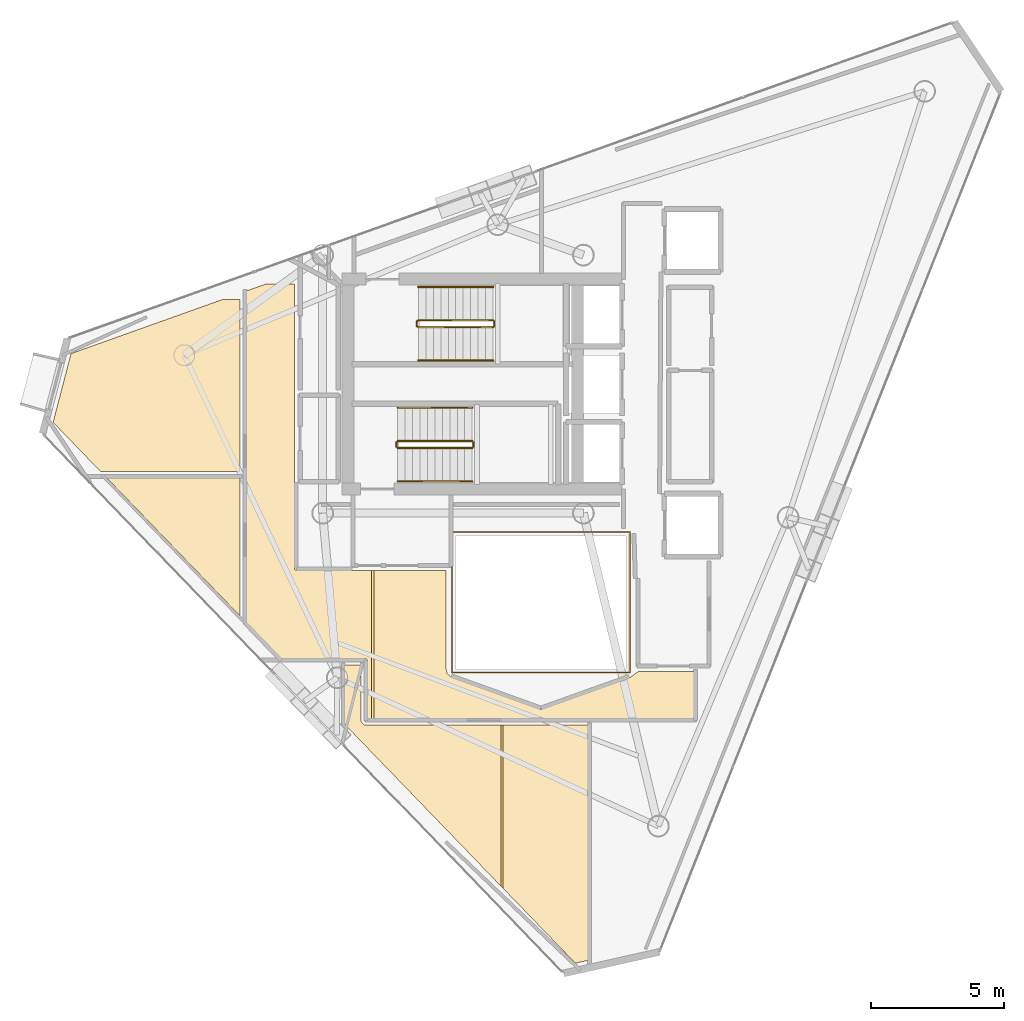
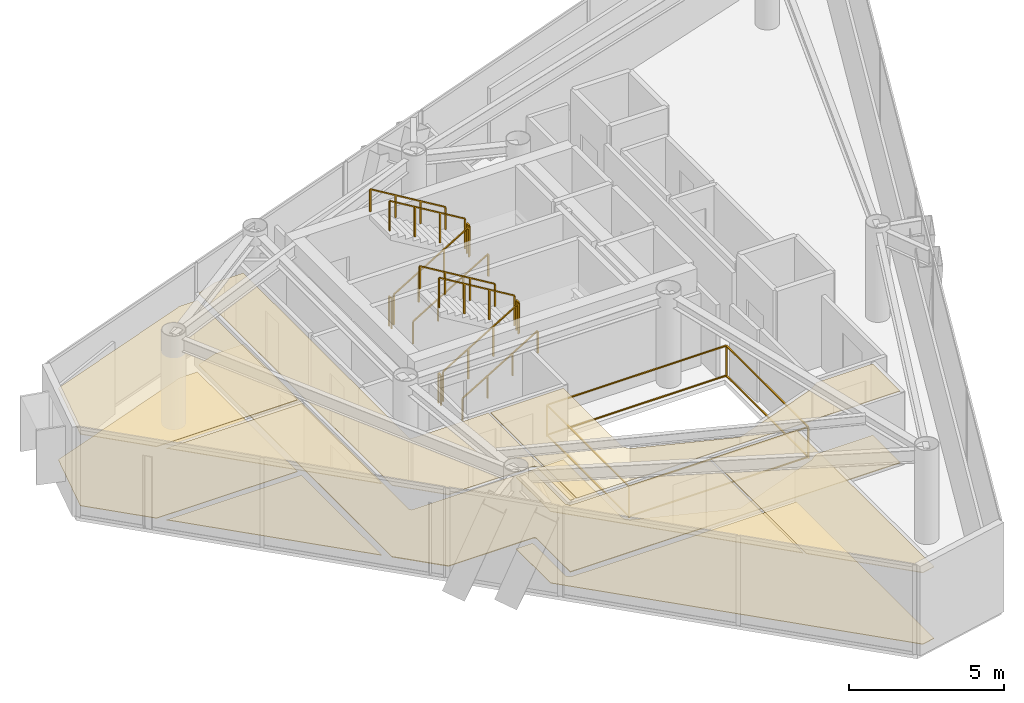
# One storey, part 18 of 18: 13 railings, 10 coverings.
"""IFC4 building model written with IfcOpenShell, lengths in metres."""

from ifc_helpers import new_model, si_unit, direction, frame, origin, origin_2d, place, context, subcontext, project, spatial, polyline, rectangle, outline, extrude, material, layer, layer_set, type_object, element, save


model = new_model("IFC4")

# Units and contexts
model_context = context("Model", 3, precision=1e-05, world=origin(), true_north=direction((0.0, 1.0)))
body_context = subcontext(model_context, "Body", "Model", "MODEL_VIEW")
ifc_project = project(units=[si_unit("LENGTHUNIT", "METRE"), si_unit("AREAUNIT", "SQUARE_METRE"), si_unit("VOLUMEUNIT", "CUBIC_METRE"), si_unit("PLANEANGLEUNIT", "RADIAN"), si_unit("MASSUNIT", "GRAM", prefix="KILO")], contexts=[model_context])

# Site, building, storey
site_placement = place(None, origin())
site = spatial("IfcSite", under=ifc_project, at=site_placement, CompositionType="ELEMENT")
building_placement = place(site_placement, origin())
building = spatial("IfcBuilding", under=site, at=building_placement, Name="Qianvela Tower", CompositionType="ELEMENT")
storey_placement = place(building_placement, frame((0.0, 0.0, 337.0)))
storey = spatial("IfcBuildingStorey", under=building, at=storey_placement, Name="L87", CompositionType="ELEMENT", Elevation=337.0)

# Coverings
ifc_material_1 = material(Name="Perforated Mineral Acoustic Ceiling Tile")
ifc_layer_1 = layer(ifc_material_1, 0.02490234375)
ifc_layer_set_1 = layer_set([ifc_layer_1], Name="Perforated Mineral Acoustic Ceiling Tile")
covering_type_1 = type_object("IfcCoveringType", Name="COV-CEIL-ACOUSTIC-25", PredefinedType="CEILING", material=ifc_layer_set_1)
covering_1_placement = place(storey_placement, frame((0.0, 0.0, 2.81494140625)))
element("IfcCovering", 1, at=covering_1_placement, inside=storey, type_object=covering_type_1, Name="L87 Acoustic Ceiling Bay 1 L87 Floor Corridor", PredefinedType="CEILING", context=body_context, shape_type="SweptSolid", body=[
    extrude(outline(polyline([(27.540283203125, 21.772216796875), (27.54150390625, 21.764404296875), (27.54345703125, 21.7568359375), (27.546142578125, 21.74951171875), (27.54931640625, 21.7421875), (27.553466796875, 21.735595703125), (27.55810546875, 21.729248046875), (27.5634765625, 21.723388671875), (27.569091796875, 21.71826171875), (27.57568359375, 21.71337890625), (27.582275390625, 21.70947265625), (27.58935546875, 21.7060546875), (27.5966796875, 21.703369140625), (27.6044921875, 21.701416015625), (27.6123046875, 21.700439453125), (27.6201171875, 21.699951171875), (30.443115234375, 21.699951171875), (30.443115234375, 16.1298828125), (30.280029296875, 16.1298828125), (30.280029296875, 18.300048828125), (30.279541015625, 18.307861328125), (30.278564453125, 18.315673828125), (30.276611328125, 18.3232421875), (30.27392578125, 18.33056640625), (30.2705078125, 18.337646484375), (30.2666015625, 18.344482421875), (30.26171875, 18.350830078125), (30.256591796875, 18.356689453125), (30.250732421875, 18.36181640625), (30.244384765625, 18.366455078125), (30.23779296875, 18.37060546875), (30.230712890625, 18.373779296875), (30.22314453125, 18.376708984375), (30.215576171875, 18.37841796875), (30.207763671875, 18.379638671875), (30.199951171875, 18.3798828125), (27.044677734375, 18.3798828125), (25.72998046875, 19.741455078125), (25.72998046875, 32.201904296875), (26.481201171875, 32.469970703125), (27.5400390625, 32.469970703125), (27.5400390625, 21.780029296875), (27.540283203125, 21.772216796875)])), origin(), (0.0, 0.0, 1.0), 0.025146484375),
])
covering_2_placement = place(storey_placement, frame((0.0, 0.0, 2.81494140625)))
element("IfcCovering", 2, at=covering_2_placement, inside=storey, type_object=covering_type_1, Name="L87 Acoustic Ceiling Bay 2 L87 Floor Corridor", PredefinedType="CEILING", context=body_context, shape_type="SweptSolid", body=[
    extrude(outline(polyline([(33.239990234375, 21.699951171875), (33.239990234375, 18.0), (33.240478515625, 17.990234375), (33.242431640625, 17.980712890625), (33.275390625, 17.8486328125), (33.277587890625, 17.841064453125), (33.28076171875, 17.833740234375), (33.284423828125, 17.826904296875), (33.288818359375, 17.8203125), (33.293701171875, 17.814208984375), (33.38525390625, 17.71337890625), (33.390625, 17.7080078125), (33.396728515625, 17.702880859375), (33.4033203125, 17.698486328125), (33.41015625, 17.69482421875), (33.417236328125, 17.69189453125), (36.77294921875, 16.482666015625), (36.780517578125, 16.48046875), (36.7880859375, 16.47900390625), (36.7958984375, 16.47802734375), (36.8037109375, 16.47802734375), (36.811767578125, 16.47900390625), (36.8193359375, 16.48046875), (36.826904296875, 16.482666015625), (40.134033203125, 17.666015625), (40.140869140625, 17.668701171875), (40.1474609375, 17.672119140625), (40.153564453125, 17.676025390625), (40.458740234375, 17.89306640625), (42.570068359375, 17.899658203125), (42.570068359375, 16.1298828125), (30.523193359375, 16.1298828125), (30.523193359375, 21.699951171875), (33.239990234375, 21.699951171875)])), origin(), (0.0, 0.0, 1.0), 0.025146484375),
])
covering_3_placement = place(storey_placement, frame((0.0, 0.0, 2.81494140625)))
element("IfcCovering", 3, at=covering_3_placement, inside=storey, type_object=covering_type_1, Name="L87 Acoustic Ceiling Project Huddle Conference L87-01", PredefinedType="CEILING", context=body_context, shape_type="SweptSolid", body=[
    extrude(outline(polyline([(20.47998046875, 25.177978515625), (25.489990234375, 25.177978515625), (25.489990234375, 19.989990234375), (20.47998046875, 25.177978515625)])), origin(), (0.0, 0.0, 1.0), 0.025146484375),
])
covering_4_placement = place(storey_placement, frame((0.0, 0.0, 2.81494140625)))
element("IfcCovering", 4, at=covering_4_placement, inside=storey, type_object=covering_type_1, Name="L87 Acoustic Ceiling Bay 1 Debate Lecture Classroom L87-02", PredefinedType="CEILING", context=body_context, shape_type="SweptSolid", body=[
    extrude(outline(polyline([(29.422119140625, 18.139892578125), (30.0400390625, 18.139892578125), (30.0400390625, 16.050048828125), (30.040283203125, 16.042236328125), (30.04150390625, 16.034423828125), (30.04345703125, 16.02685546875), (30.046142578125, 16.019287109375), (30.04931640625, 16.01220703125), (30.053466796875, 16.005615234375), (30.05810546875, 15.999267578125), (30.12255859375, 15.9208984375), (30.127685546875, 15.9150390625), (30.133544921875, 15.90966796875), (30.139892578125, 15.905029296875), (30.146728515625, 15.90087890625), (30.15380859375, 15.897705078125), (30.1611328125, 15.89501953125), (30.168701171875, 15.89306640625), (30.176513671875, 15.891845703125), (30.184326171875, 15.8916015625), (35.302734375, 15.890625), (35.302734375, 9.82861328125), (29.422119140625, 15.918212890625), (29.422119140625, 18.139892578125)])), origin(), (0.0, 0.0, 1.0), 0.025146484375),
])
covering_5_placement = place(storey_placement, frame((0.0, 0.0, 2.81494140625)))
element("IfcCovering", 5, at=covering_5_placement, inside=storey, type_object=covering_type_1, Name="L87 Acoustic Ceiling Bay 2 Debate Lecture Classroom L87-02", PredefinedType="CEILING", context=body_context, shape_type="SweptSolid", body=[
    extrude(outline(polyline([(38.577880859375, 15.889892578125), (38.577880859375, 7.04150390625), (38.097900390625, 6.93408203125), (35.3828125, 9.74560546875), (35.3828125, 15.890625), (38.577880859375, 15.889892578125)])), origin(), (0.0, 0.0, 1.0), 0.025146484375),
])
covering_6_placement = place(storey_placement, frame((0.0, 0.0, 2.81494140625)))
element("IfcCovering", 6, at=covering_6_placement, inside=storey, type_object=covering_type_1, Name="L87 Acoustic Ceiling Maker Craft Workshop L87-04", PredefinedType="CEILING", context=body_context, shape_type="SweptSolid", body=[
    extrude(outline(polyline([(24.822998046875, 31.8779296875), (25.489990234375, 31.8779296875), (25.489990234375, 25.422119140625), (20.244384765625, 25.422119140625), (18.466552734375, 27.262939453125), (19.140869140625, 29.849365234375), (24.822998046875, 31.8779296875)])), origin(), (0.0, 0.0, 1.0), 0.025146484375),
])
ifc_material_2 = material(Name="Engineered Acoustic Oak Timber Flooring", Category="wood")
ifc_layer_2 = layer(ifc_material_2, 0.02001953125)
ifc_layer_set_2 = layer_set([ifc_layer_2], Name="Engineered Acoustic Oak Timber Flooring")
covering_type_2 = type_object("IfcCoveringType", Name="COV-FLOOR-OAK-20", PredefinedType="FLOORING", material=ifc_layer_set_2)
covering_7_placement = place(storey_placement, origin())
element("IfcCovering", 7, at=covering_7_placement, inside=storey, type_object=covering_type_2, Name="L87 Finish Flooring Project Huddle Conference L87-01", PredefinedType="FLOORING", context=body_context, shape_type="SweptSolid", body=[
    extrude(outline(polyline([(20.47998046875, 25.177978515625), (25.489990234375, 25.177978515625), (25.489990234375, 19.989990234375), (20.47998046875, 25.177978515625)])), origin(), (0.0, 0.0, 1.0), 0.02001953125),
])
covering_8_placement = place(storey_placement, origin())
element("IfcCovering", 8, at=covering_8_placement, inside=storey, type_object=covering_type_2, Name="L87 Finish Flooring Debate Lecture Classroom L87-02", PredefinedType="FLOORING", context=body_context, shape_type="SweptSolid", body=[
    extrude(outline(polyline([(29.422119140625, 15.918212890625), (29.422119140625, 18.139892578125), (30.0400390625, 18.139892578125), (30.0400390625, 16.050048828125), (30.040283203125, 16.042236328125), (30.04150390625, 16.034423828125), (30.04345703125, 16.02685546875), (30.046142578125, 16.019287109375), (30.04931640625, 16.01220703125), (30.053466796875, 16.005615234375), (30.05810546875, 15.999267578125), (30.12255859375, 15.9208984375), (30.127685546875, 15.9150390625), (30.133544921875, 15.90966796875), (30.139892578125, 15.905029296875), (30.146728515625, 15.90087890625), (30.15380859375, 15.897705078125), (30.1611328125, 15.89501953125), (30.168701171875, 15.89306640625), (30.176513671875, 15.891845703125), (30.184326171875, 15.8916015625), (38.577880859375, 15.889892578125), (38.577880859375, 7.04150390625), (38.097900390625, 6.93408203125), (29.422119140625, 15.918212890625)])), origin(), (0.0, 0.0, 1.0), 0.02001953125),
])
covering_9_placement = place(storey_placement, origin())
element("IfcCovering", 9, at=covering_9_placement, inside=storey, type_object=covering_type_2, Name="L87 Finish Flooring Maker Craft Workshop L87-04", PredefinedType="FLOORING", context=body_context, shape_type="SweptSolid", body=[
    extrude(outline(polyline([(24.822998046875, 31.8779296875), (25.489990234375, 31.8779296875), (25.489990234375, 25.422119140625), (20.244384765625, 25.422119140625), (18.466552734375, 27.262939453125), (19.140869140625, 29.849365234375), (24.822998046875, 31.8779296875)])), origin(), (0.0, 0.0, 1.0), 0.02001953125),
])
ifc_material_3 = material(Name="Honed Stone Terrazzo Flooring", Category="masonry")
ifc_layer_3 = layer(ifc_material_3, 0.030029296875)
ifc_layer_set_3 = layer_set([ifc_layer_3], Name="Honed Stone Terrazzo Flooring")
covering_type_3 = type_object("IfcCoveringType", Name="COV-FLOOR-TERRAZZO-30", PredefinedType="FLOORING", material=ifc_layer_set_3)
covering_10_placement = place(storey_placement, origin())
element("IfcCovering", 10, at=covering_10_placement, inside=storey, type_object=covering_type_3, Name="L87 Finish Flooring L87 Floor Corridor", PredefinedType="FLOORING", context=body_context, shape_type="SweptSolid", body=[
    extrude(outline(polyline([(27.5400390625, 21.780029296875), (27.540283203125, 21.772216796875), (27.54150390625, 21.764404296875), (27.54345703125, 21.7568359375), (27.546142578125, 21.74951171875), (27.54931640625, 21.7421875), (27.553466796875, 21.735595703125), (27.55810546875, 21.729248046875), (27.5634765625, 21.723388671875), (27.569091796875, 21.71826171875), (27.57568359375, 21.71337890625), (27.582275390625, 21.70947265625), (27.58935546875, 21.7060546875), (27.5966796875, 21.703369140625), (27.6044921875, 21.701416015625), (27.6123046875, 21.700439453125), (27.6201171875, 21.699951171875), (33.239990234375, 21.699951171875), (33.239990234375, 18.0), (33.240478515625, 17.990234375), (33.242431640625, 17.980712890625), (33.275390625, 17.8486328125), (33.277587890625, 17.841064453125), (33.28076171875, 17.833740234375), (33.284423828125, 17.826904296875), (33.288818359375, 17.8203125), (33.293701171875, 17.814208984375), (33.38525390625, 17.71337890625), (33.390625, 17.7080078125), (33.396728515625, 17.702880859375), (33.4033203125, 17.698486328125), (33.41015625, 17.69482421875), (33.417236328125, 17.69189453125), (36.77294921875, 16.482666015625), (36.780517578125, 16.48046875), (36.7880859375, 16.47900390625), (36.7958984375, 16.47802734375), (36.8037109375, 16.47802734375), (36.811767578125, 16.47900390625), (36.8193359375, 16.48046875), (36.826904296875, 16.482666015625), (40.134033203125, 17.666015625), (40.140869140625, 17.668701171875), (40.1474609375, 17.672119140625), (40.153564453125, 17.676025390625), (40.458740234375, 17.89306640625), (42.570068359375, 17.899658203125), (42.570068359375, 16.1298828125), (30.280029296875, 16.1298828125), (30.280029296875, 18.300048828125), (30.279541015625, 18.307861328125), (30.278564453125, 18.315673828125), (30.276611328125, 18.3232421875), (30.27392578125, 18.33056640625), (30.2705078125, 18.337646484375), (30.2666015625, 18.344482421875), (30.26171875, 18.350830078125), (30.256591796875, 18.356689453125), (30.250732421875, 18.36181640625), (30.244384765625, 18.366455078125), (30.23779296875, 18.37060546875), (30.230712890625, 18.373779296875), (30.22314453125, 18.376708984375), (30.215576171875, 18.37841796875), (30.207763671875, 18.379638671875), (30.199951171875, 18.3798828125), (27.044677734375, 18.3798828125), (25.72998046875, 19.741455078125), (25.72998046875, 32.201904296875), (26.481201171875, 32.469970703125), (27.5400390625, 32.469970703125), (27.5400390625, 21.780029296875)])), origin(), (0.0, 0.0, 1.0), 0.030029296875),
])

# Railings
ifc_material_4 = material(Name="Laminated Safety Glass and Stainless Steel 316", Category="steel")
railing_type_1 = type_object("IfcRailingType", Name="RL-ATRIUM-GUARD-1250", PredefinedType="GUARDRAIL", material=ifc_material_4)
railing_1_placement = place(storey_placement, frame((33.4599609375, 17.860107421875, 0.0)))
element("IfcRailing", 11, at=railing_1_placement, inside=storey, type_object=railing_type_1, Name="L87 Atrium Edge Guardrail 1", PredefinedType="GUARDRAIL", context=body_context, shape_type="SweptSolid", body=[
    extrude(rectangle(XDim=0.050048828125, YDim=0.0400390625, at=origin_2d()), frame((0.0, 0.0, 1.22998046875), z_axis=(0.0, 1.0, 0.0), x_axis=(-1.0, 0.0, 0.0)), (0.0, 0.0, 1.0), 5.27978515625),
    extrude(rectangle(XDim=0.050048828125, YDim=0.0400390625, at=origin_2d()), frame((0.0, 0.0, 0.050048828125), z_axis=(0.0, 1.0, 0.0), x_axis=(-1.0, 0.0, 0.0)), (0.0, 0.0, 1.0), 5.27978515625),
    extrude(rectangle(XDim=0.050048828125, YDim=0.0400390625, at=origin_2d()), frame((0.0, 5.27978515625, 1.22998046875), z_axis=(1.0, 0.0, 0.0), x_axis=(0.0, 1.0, 0.0)), (0.0, 0.0, 1.0), 6.679931640625),
    extrude(rectangle(XDim=0.050048828125, YDim=0.0400390625, at=origin_2d()), frame((0.0, 5.27978515625, 0.050048828125), z_axis=(1.0, 0.0, 0.0), x_axis=(0.0, 1.0, 0.0)), (0.0, 0.0, 1.0), 6.679931640625),
    extrude(rectangle(XDim=0.050048828125, YDim=0.0400390625, at=origin_2d()), frame((6.679931640625, 5.27978515625, 1.22998046875), z_axis=(0.0, -1.0, 0.0), x_axis=(1.0, 0.0, 0.0)), (0.0, 0.0, 1.0), 5.27978515625),
    extrude(rectangle(XDim=0.050048828125, YDim=0.0400390625, at=origin_2d()), frame((6.679931640625, 5.27978515625, 0.050048828125), z_axis=(0.0, -1.0, 0.0), x_axis=(1.0, 0.0, 0.0)), (0.0, 0.0, 1.0), 5.27978515625),
    extrude(rectangle(XDim=0.050048828125, YDim=0.0400390625, at=origin_2d()), frame((6.679931640625, 0.0, 1.22998046875), z_axis=(-1.0, 0.0, 0.0), x_axis=(0.0, -1.0, 0.0)), (0.0, 0.0, 1.0), 6.679931640625),
    extrude(rectangle(XDim=0.050048828125, YDim=0.0400390625, at=origin_2d()), frame((6.679931640625, 0.0, 0.050048828125), z_axis=(-1.0, 0.0, 0.0), x_axis=(0.0, -1.0, 0.0)), (0.0, 0.0, 1.0), 6.679931640625),
    extrude(rectangle(XDim=0.050048828125, YDim=0.050048828125, at=origin_2d()), origin(), (0.0, 0.0, 1.0), 1.2099609375),
    extrude(rectangle(XDim=0.050048828125, YDim=0.050048828125, at=origin_2d()), frame((0.0, 5.27978515625, 0.0)), (0.0, 0.0, 1.0), 1.2099609375),
    extrude(rectangle(XDim=0.050048828125, YDim=0.050048828125, at=origin_2d()), frame((6.679931640625, 5.27978515625, 0.0)), (0.0, 0.0, 1.0), 1.2099609375),
    extrude(rectangle(XDim=0.050048828125, YDim=0.050048828125, at=origin_2d()), frame((6.679931640625, 0.0, 0.0)), (0.0, 0.0, 1.0), 1.2099609375),
])
ifc_material_5 = material(Name="Painted Tubular Steel Q355B", Category="steel")
railing_type_2 = type_object("IfcRailingType", Name="RL-STAIR-GUARD-1200", PredefinedType="GUARDRAIL", material=ifc_material_5)
railing_2_placement = place(storey_placement, frame((32.199951171875, 30.840087890625, 0.168212890625)))
element("IfcRailing", 12, at=railing_2_placement, inside=storey, type_object=railing_type_2, Name="L87 ST-1 stair guard 1", PredefinedType="GUARDRAIL", context=body_context, shape_type="SweptSolid", body=[
    extrude(rectangle(XDim=0.050048828125, YDim=0.0400390625, at=origin_2d()), frame((0.0, 0.0, 1.179931640625), z_axis=(0.857242210791, 0.0, 0.514913383045), x_axis=(0.0, 1.0, 0.0)), (0.0, 0.0, 1.0), 3.266357421875),
    extrude(rectangle(XDim=0.050048828125, YDim=0.050048828125, at=origin_2d()), origin(), (0.0, 0.0, 1.0), 1.159912109375),
    extrude(rectangle(XDim=0.050048828125, YDim=0.050048828125, at=origin_2d()), frame((0.933349609375, 0.0, 0.560546875)), (0.0, 0.0, 1.0), 1.159912109375),
    extrude(rectangle(XDim=0.050048828125, YDim=0.050048828125, at=origin_2d()), frame((1.86669921875, 0.0, 1.121337890625)), (0.0, 0.0, 1.0), 1.159912109375),
    extrude(rectangle(XDim=0.050048828125, YDim=0.050048828125, at=origin_2d()), frame((2.800048828125, 0.0, 1.681884765625)), (0.0, 0.0, 1.0), 1.159912109375),
])
railing_3_placement = place(storey_placement, frame((35.050048828125, 30.889892578125, 1.85009765625)))
element("IfcRailing", 13, at=railing_3_placement, inside=storey, type_object=railing_type_2, Name="L87 ST-1 stair guard 2", PredefinedType="GUARDRAIL", context=body_context, shape_type="SweptSolid", body=[
    extrude(rectangle(XDim=0.050048828125, YDim=0.0400390625, at=origin_2d()), frame((0.0, 0.0, 1.179931640625), z_axis=(0.0, 1.0, 0.0), x_axis=(-1.0, 0.0, 0.0)), (0.0, 0.0, 1.0), 0.16015625),
    extrude(rectangle(XDim=0.050048828125, YDim=0.050048828125, at=origin_2d()), origin(), (0.0, 0.0, 1.0), 1.159912109375),
    extrude(rectangle(XDim=0.050048828125, YDim=0.050048828125, at=origin_2d()), frame((0.0, 0.16015625, 0.0)), (0.0, 0.0, 1.0), 1.159912109375),
])
railing_4_placement = place(storey_placement, frame((35.0, 31.10009765625, 2.01806640625)))
element("IfcRailing", 14, at=railing_4_placement, inside=storey, type_object=railing_type_2, Name="L87 ST-1 stair guard 3", PredefinedType="GUARDRAIL", context=body_context, shape_type="SweptSolid", body=[
    extrude(rectangle(XDim=0.050048828125, YDim=0.0400390625, at=origin_2d()), frame((0.0, 0.0, 1.179931640625), z_axis=(-0.857242210791, 0.0, 0.514913383045), x_axis=(0.0, -1.0, 0.0)), (0.0, 0.0, 1.0), 3.266357421875),
    extrude(rectangle(XDim=0.050048828125, YDim=0.050048828125, at=origin_2d()), origin(), (0.0, 0.0, 1.0), 1.159912109375),
    extrude(rectangle(XDim=0.050048828125, YDim=0.050048828125, at=origin_2d()), frame((-0.933349609375, 0.0, 0.560546875)), (0.0, 0.0, 1.0), 1.159912109375),
    extrude(rectangle(XDim=0.050048828125, YDim=0.050048828125, at=origin_2d()), frame((-1.86669921875, 0.0, 1.121337890625)), (0.0, 0.0, 1.0), 1.159912109375),
    extrude(rectangle(XDim=0.050048828125, YDim=0.050048828125, at=origin_2d()), frame((-2.800048828125, 0.0, 1.681884765625)), (0.0, 0.0, 1.0), 1.159912109375),
])
railing_5_placement = place(storey_placement, frame((32.14990234375, 30.889892578125, 0.0)))
element("IfcRailing", 15, at=railing_5_placement, inside=storey, type_object=railing_type_2, Name="L87 ST-1 stair guard 4", PredefinedType="GUARDRAIL", context=body_context, shape_type="SweptSolid", body=[
    extrude(rectangle(XDim=0.050048828125, YDim=0.0400390625, at=origin_2d()), frame((0.0, 0.0, 1.179931640625), z_axis=(0.0, 1.0, 0.0), x_axis=(-1.0, 0.0, 0.0)), (0.0, 0.0, 1.0), 0.16015625),
    extrude(rectangle(XDim=0.050048828125, YDim=0.050048828125, at=origin_2d()), origin(), (0.0, 0.0, 1.0), 1.159912109375),
    extrude(rectangle(XDim=0.050048828125, YDim=0.050048828125, at=origin_2d()), frame((0.0, 0.16015625, 0.0)), (0.0, 0.0, 1.0), 1.159912109375),
])
railing_6_placement = place(storey_placement, frame((31.419921875, 26.300048828125, 0.168212890625)))
element("IfcRailing", 16, at=railing_6_placement, inside=storey, type_object=railing_type_2, Name="L87 ST-2 stair guard 1", PredefinedType="GUARDRAIL", context=body_context, shape_type="SweptSolid", body=[
    extrude(rectangle(XDim=0.050048828125, YDim=0.0400390625, at=origin_2d()), frame((0.0, 0.0, 1.179931640625), z_axis=(0.857242210791, 0.0, 0.514913383045), x_axis=(0.0, 1.0, 0.0)), (0.0, 0.0, 1.0), 3.266357421875),
    extrude(rectangle(XDim=0.050048828125, YDim=0.050048828125, at=origin_2d()), origin(), (0.0, 0.0, 1.0), 1.159912109375),
    extrude(rectangle(XDim=0.050048828125, YDim=0.050048828125, at=origin_2d()), frame((0.933349609375, 0.0, 0.560546875)), (0.0, 0.0, 1.0), 1.159912109375),
    extrude(rectangle(XDim=0.050048828125, YDim=0.050048828125, at=origin_2d()), frame((1.86669921875, 0.0, 1.121337890625)), (0.0, 0.0, 1.0), 1.159912109375),
    extrude(rectangle(XDim=0.050048828125, YDim=0.050048828125, at=origin_2d()), frame((2.800048828125, 0.0, 1.681884765625)), (0.0, 0.0, 1.0), 1.159912109375),
])
railing_7_placement = place(storey_placement, frame((34.27001953125, 26.35009765625, 1.85009765625)))
element("IfcRailing", 17, at=railing_7_placement, inside=storey, type_object=railing_type_2, Name="L87 ST-2 stair guard 2", PredefinedType="GUARDRAIL", context=body_context, shape_type="SweptSolid", body=[
    extrude(rectangle(XDim=0.050048828125, YDim=0.0400390625, at=origin_2d()), frame((0.0, 0.0, 1.179931640625), z_axis=(0.0, 1.0, 0.0), x_axis=(-1.0, 0.0, 0.0)), (0.0, 0.0, 1.0), 0.159912109375),
    extrude(rectangle(XDim=0.050048828125, YDim=0.050048828125, at=origin_2d()), origin(), (0.0, 0.0, 1.0), 1.159912109375),
    extrude(rectangle(XDim=0.050048828125, YDim=0.050048828125, at=origin_2d()), frame((0.0, 0.159912109375, 0.0)), (0.0, 0.0, 1.0), 1.159912109375),
])
railing_8_placement = place(storey_placement, frame((34.219970703125, 26.56005859375, 2.01806640625)))
element("IfcRailing", 18, at=railing_8_placement, inside=storey, type_object=railing_type_2, Name="L87 ST-2 stair guard 3", PredefinedType="GUARDRAIL", context=body_context, shape_type="SweptSolid", body=[
    extrude(rectangle(XDim=0.050048828125, YDim=0.0400390625, at=origin_2d()), frame((0.0, 0.0, 1.179931640625), z_axis=(-0.857242210791, 0.0, 0.514913383045), x_axis=(0.0, -1.0, 0.0)), (0.0, 0.0, 1.0), 3.266357421875),
    extrude(rectangle(XDim=0.050048828125, YDim=0.050048828125, at=origin_2d()), origin(), (0.0, 0.0, 1.0), 1.159912109375),
    extrude(rectangle(XDim=0.050048828125, YDim=0.050048828125, at=origin_2d()), frame((-0.933349609375, 0.0, 0.560546875)), (0.0, 0.0, 1.0), 1.159912109375),
    extrude(rectangle(XDim=0.050048828125, YDim=0.050048828125, at=origin_2d()), frame((-1.86669921875, 0.0, 1.121337890625)), (0.0, 0.0, 1.0), 1.159912109375),
    extrude(rectangle(XDim=0.050048828125, YDim=0.050048828125, at=origin_2d()), frame((-2.800048828125, 0.0, 1.681884765625)), (0.0, 0.0, 1.0), 1.159912109375),
])
railing_9_placement = place(storey_placement, frame((31.3701171875, 26.35009765625, 0.0)))
element("IfcRailing", 19, at=railing_9_placement, inside=storey, type_object=railing_type_2, Name="L87 ST-2 stair guard 4", PredefinedType="GUARDRAIL", context=body_context, shape_type="SweptSolid", body=[
    extrude(rectangle(XDim=0.050048828125, YDim=0.0400390625, at=origin_2d()), frame((0.0, 0.0, 1.179931640625), z_axis=(0.0, 1.0, 0.0), x_axis=(-1.0, 0.0, 0.0)), (0.0, 0.0, 1.0), 0.159912109375),
    extrude(rectangle(XDim=0.050048828125, YDim=0.050048828125, at=origin_2d()), origin(), (0.0, 0.0, 1.0), 1.159912109375),
    extrude(rectangle(XDim=0.050048828125, YDim=0.050048828125, at=origin_2d()), frame((0.0, 0.159912109375, 0.0)), (0.0, 0.0, 1.0), 1.159912109375),
])
ifc_material_6 = material(Name="Brushed Stainless Steel 304", Category="steel")
railing_type_3 = type_object("IfcRailingType", Name="RL-STAIR-HANDRAIL-900", PredefinedType="HANDRAIL", material=ifc_material_6)
railing_10_placement = place(storey_placement, frame((32.199951171875, 29.590087890625, 0.168212890625)))
element("IfcRailing", 20, at=railing_10_placement, inside=storey, type_object=railing_type_3, Name="L87 ST-1 stair handrail 1", PredefinedType="HANDRAIL", context=body_context, shape_type="SweptSolid", body=[
    extrude(rectangle(XDim=0.050048828125, YDim=0.0400390625, at=origin_2d()), frame((0.0, 0.0, 0.8798828125), z_axis=(0.857242210791, 0.0, 0.514913383045), x_axis=(0.0, 1.0, 0.0)), (0.0, 0.0, 1.0), 3.266357421875),
    extrude(rectangle(XDim=0.050048828125, YDim=0.050048828125, at=origin_2d()), origin(), (0.0, 0.0, 1.0), 0.85986328125),
    extrude(rectangle(XDim=0.050048828125, YDim=0.050048828125, at=origin_2d()), frame((0.933349609375, 0.0, 0.560546875)), (0.0, 0.0, 1.0), 0.85986328125),
    extrude(rectangle(XDim=0.050048828125, YDim=0.050048828125, at=origin_2d()), frame((1.86669921875, 0.0, 1.121337890625)), (0.0, 0.0, 1.0), 0.85986328125),
    extrude(rectangle(XDim=0.050048828125, YDim=0.050048828125, at=origin_2d()), frame((2.800048828125, 0.0, 1.681884765625)), (0.0, 0.0, 1.0), 0.85986328125),
])
railing_11_placement = place(storey_placement, frame((35.0, 32.35009765625, 2.01806640625)))
element("IfcRailing", 21, at=railing_11_placement, inside=storey, type_object=railing_type_3, Name="L87 ST-1 stair handrail 2", PredefinedType="HANDRAIL", context=body_context, shape_type="SweptSolid", body=[
    extrude(rectangle(XDim=0.050048828125, YDim=0.0400390625, at=origin_2d()), frame((0.0, 0.0, 0.8798828125), z_axis=(-0.857242210791, 0.0, 0.514913383045), x_axis=(0.0, -1.0, 0.0)), (0.0, 0.0, 1.0), 3.266357421875),
    extrude(rectangle(XDim=0.050048828125, YDim=0.050048828125, at=origin_2d()), origin(), (0.0, 0.0, 1.0), 0.85986328125),
    extrude(rectangle(XDim=0.050048828125, YDim=0.050048828125, at=origin_2d()), frame((-0.933349609375, 0.0, 0.560546875)), (0.0, 0.0, 1.0), 0.85986328125),
    extrude(rectangle(XDim=0.050048828125, YDim=0.050048828125, at=origin_2d()), frame((-1.86669921875, 0.0, 1.121337890625)), (0.0, 0.0, 1.0), 0.85986328125),
    extrude(rectangle(XDim=0.050048828125, YDim=0.050048828125, at=origin_2d()), frame((-2.800048828125, 0.0, 1.681884765625)), (0.0, 0.0, 1.0), 0.85986328125),
])
railing_12_placement = place(storey_placement, frame((31.419921875, 25.050048828125, 0.168212890625)))
element("IfcRailing", 22, at=railing_12_placement, inside=storey, type_object=railing_type_3, Name="L87 ST-2 stair handrail 1", PredefinedType="HANDRAIL", context=body_context, shape_type="SweptSolid", body=[
    extrude(rectangle(XDim=0.050048828125, YDim=0.0400390625, at=origin_2d()), frame((0.0, 0.0, 0.8798828125), z_axis=(0.857242210791, 0.0, 0.514913383045), x_axis=(0.0, 1.0, 0.0)), (0.0, 0.0, 1.0), 3.266357421875),
    extrude(rectangle(XDim=0.050048828125, YDim=0.050048828125, at=origin_2d()), origin(), (0.0, 0.0, 1.0), 0.85986328125),
    extrude(rectangle(XDim=0.050048828125, YDim=0.050048828125, at=origin_2d()), frame((0.933349609375, 0.0, 0.560546875)), (0.0, 0.0, 1.0), 0.85986328125),
    extrude(rectangle(XDim=0.050048828125, YDim=0.050048828125, at=origin_2d()), frame((1.86669921875, 0.0, 1.121337890625)), (0.0, 0.0, 1.0), 0.85986328125),
    extrude(rectangle(XDim=0.050048828125, YDim=0.050048828125, at=origin_2d()), frame((2.800048828125, 0.0, 1.681884765625)), (0.0, 0.0, 1.0), 0.85986328125),
])
railing_13_placement = place(storey_placement, frame((34.219970703125, 27.81005859375, 2.01806640625)))
element("IfcRailing", 23, at=railing_13_placement, inside=storey, type_object=railing_type_3, Name="L87 ST-2 stair handrail 2", PredefinedType="HANDRAIL", context=body_context, shape_type="SweptSolid", body=[
    extrude(rectangle(XDim=0.050048828125, YDim=0.0400390625, at=origin_2d()), frame((0.0, 0.0, 0.8798828125), z_axis=(-0.857242210791, 0.0, 0.514913383045), x_axis=(0.0, -1.0, 0.0)), (0.0, 0.0, 1.0), 3.266357421875),
    extrude(rectangle(XDim=0.050048828125, YDim=0.050048828125, at=origin_2d()), origin(), (0.0, 0.0, 1.0), 0.85986328125),
    extrude(rectangle(XDim=0.050048828125, YDim=0.050048828125, at=origin_2d()), frame((-0.933349609375, 0.0, 0.560546875)), (0.0, 0.0, 1.0), 0.85986328125),
    extrude(rectangle(XDim=0.050048828125, YDim=0.050048828125, at=origin_2d()), frame((-1.86669921875, 0.0, 1.121337890625)), (0.0, 0.0, 1.0), 0.85986328125),
    extrude(rectangle(XDim=0.050048828125, YDim=0.050048828125, at=origin_2d()), frame((-2.800048828125, 0.0, 1.681884765625)), (0.0, 0.0, 1.0), 0.85986328125),
])

save(model, "model.ifc")
